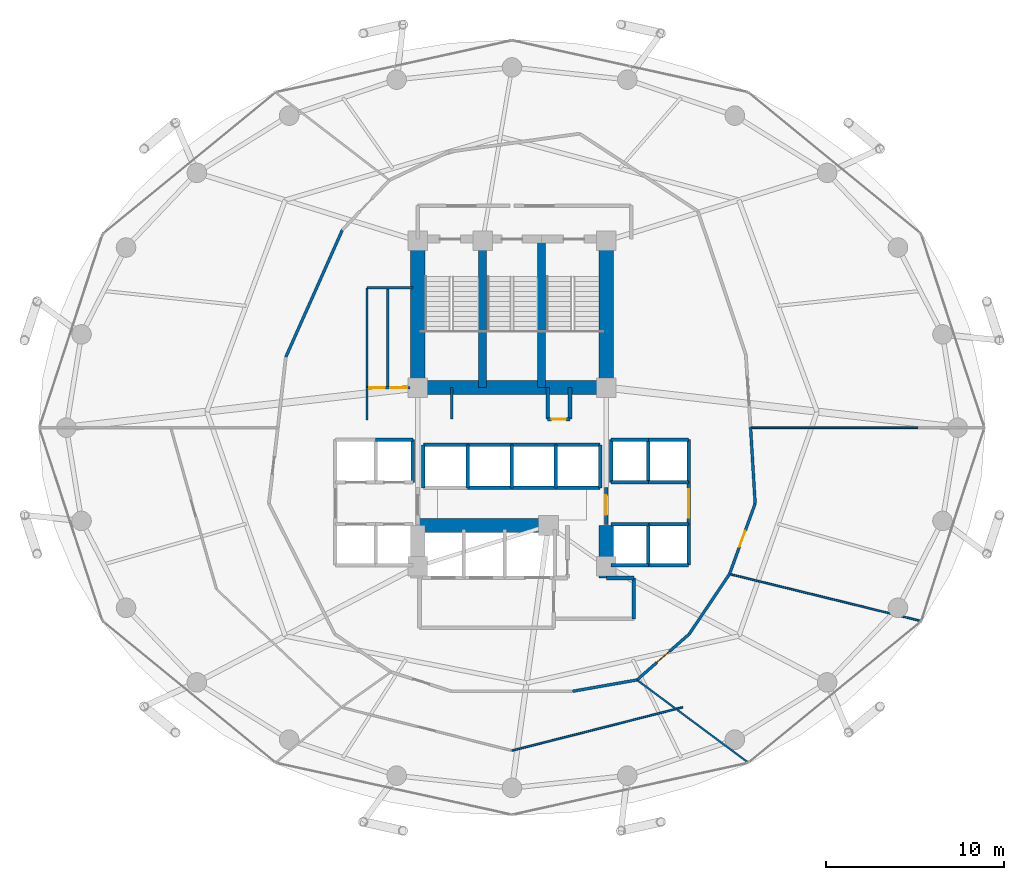
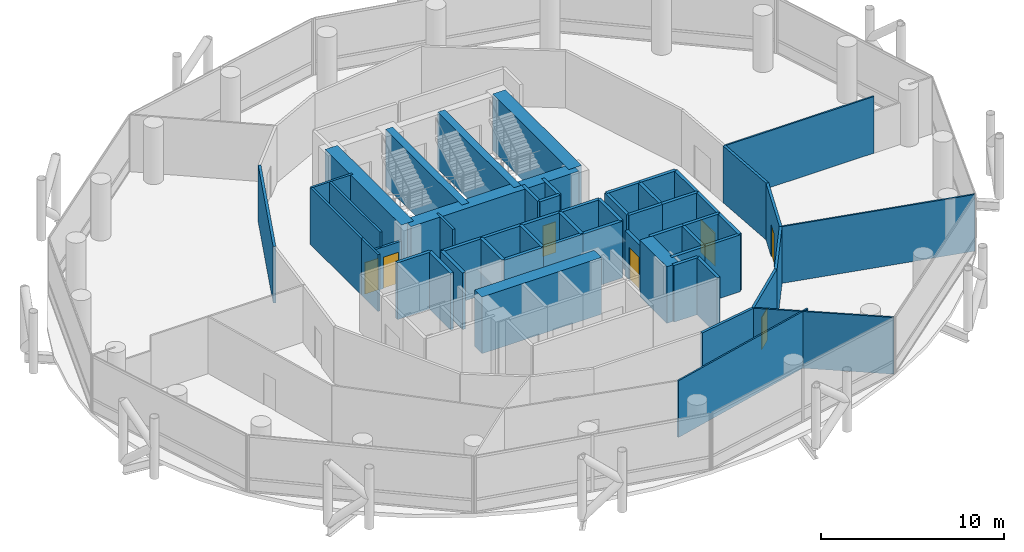
# One storey, part 22 of 24: 57 walls, 7 doors, 7 openings.
"""IFC4 building model written with IfcOpenShell, lengths in metres."""

from ifc_helpers import new_model, si_unit, direction, frame, frame_2d, origin, place, context, subcontext, project, spatial, rectangle, extrude, material, layer, layer_set, type_object, element, fill, save


model = new_model("IFC4")

# Units and contexts
model_context = context("Model", 3, precision=1e-05, world=origin(), true_north=direction((0.0, 1.0)))
body_context = subcontext(model_context, "Body", "Model", "MODEL_VIEW")
ifc_project = project(units=[si_unit("LENGTHUNIT", "METRE"), si_unit("AREAUNIT", "SQUARE_METRE"), si_unit("VOLUMEUNIT", "CUBIC_METRE"), si_unit("PLANEANGLEUNIT", "RADIAN"), si_unit("MASSUNIT", "GRAM", prefix="KILO")], contexts=[model_context])

# Site, building, storey
site_placement = place(None, origin())
site = spatial("IfcSite", under=ifc_project, at=site_placement, CompositionType="ELEMENT")
building_placement = place(site_placement, origin())
building = spatial("IfcBuilding", under=site, at=building_placement, Name="Nuhasar Tower", CompositionType="ELEMENT")
storey_placement = place(building_placement, frame((0.0, 0.0, 33.14990234375)))
storey = spatial("IfcBuildingStorey", under=building, at=storey_placement, Name="L07", CompositionType="ELEMENT", Elevation=33.14990234375)

# Walls
ifc_material_1 = material(Name="Concrete C50/60", Category="concrete")
ifc_layer_1 = layer(ifc_material_1, 0.449951171875)
ifc_layer_set_1 = layer_set([ifc_layer_1], Name="Concrete C50/60")
wall_type_1 = type_object("IfcWallType", Name="WL-CORE-450", PredefinedType="SHEAR", material=ifc_layer_set_1)
for number, where, z_axis, x_axis, name in (
    (1, (37.35009765625, 29.050048828125, 0.0), (0.0, 0.0, 1.0), (0.0, 1.0, 0.0), "L07 Stairwell Shear Wall ST01-E"),
    (2, (40.64990234375, 29.050048828125, 0.0), (0.0, 0.0, 1.0), (0.0, 1.0, 0.0), "L07 Stairwell Shear Wall ST03-E"),
):
    element("IfcWall", number, at=place(storey_placement, frame(where, z_axis=z_axis, x_axis=x_axis)), inside=storey, type_object=wall_type_1, Name=name, PredefinedType="SHEAR", context=body_context, shape_type="SweptSolid", body=[
        extrude(rectangle(XDim=8.349853515625, YDim=0.449951171875, at=frame_2d((4.1748046875, 0.0))), origin(), (0.0, 0.0, 1.0), 3.7900390625),
    ])
ifc_material_2 = material(Name="Concrete C80/95", Category="concrete")
ifc_layer_2 = layer(ifc_material_2, 0.800048828125)
ifc_layer_set_2 = layer_set([ifc_layer_2], Name="Concrete C80/95")
wall_type_2 = type_object("IfcWallType", Name="WL-CORE-800", PredefinedType="SHEAR", material=ifc_layer_set_2)
for number, where, z_axis, x_axis, name in (
    (3, (33.699951171875, 29.050048828125, 0.0), (0.0, 0.0, 1.0), (0.0, 1.0, 0.0), "L07 Core Shear Wall CW-NW CW-800"),
    (4, (44.300048828125, 29.050048828125, 0.0), (0.0, 0.0, 1.0), (0.0, 1.0, 0.0), "L07 Core Shear Wall CW-NE CW-800"),
):
    element("IfcWall", number, at=place(storey_placement, frame(where, z_axis=z_axis, x_axis=x_axis)), inside=storey, type_object=wall_type_2, Name=name, PredefinedType="SHEAR", context=body_context, shape_type="SweptSolid", body=[
        extrude(rectangle(XDim=8.349853515625, YDim=0.800048828125, at=frame_2d((4.1748046875, 0.0))), origin(), (0.0, 0.0, 1.0), 3.7900390625),
    ])
wall_1_placement = place(storey_placement, frame((44.300048828125, 18.35009765625, 0.0), z_axis=(0.0, 0.0, 1.0), x_axis=(0.0, 1.0, 0.0)))
element("IfcWall", 5, at=wall_1_placement, inside=storey, type_object=wall_type_2, Name="L07 Core Shear Wall CW-SE CW-800", PredefinedType="SHEAR", context=body_context, shape_type="SweptSolid", body=[
    extrude(rectangle(XDim=2.949951171875, YDim=0.800048828125, at=frame_2d((1.47509765625, 0.0))), origin(), (0.0, 0.0, 1.0), 3.7900390625),
])
wall_2_placement = place(storey_placement, frame((33.699951171875, 29.050048828125, 0.0), z_axis=(0.0, 0.0, 1.0), x_axis=(1.0, 0.0, 0.0)))
element("IfcWall", 6, at=wall_2_placement, inside=storey, type_object=wall_type_2, Name="L07 Core Shear Wall CW-N1 CW-800", PredefinedType="SHEAR", context=body_context, shape_type="SweptSolid", body=[
    extrude(rectangle(XDim=10.60009765625, YDim=0.800048828125, at=frame_2d((5.300048828125, 0.0))), origin(), (0.0, 0.0, 1.0), 3.7900390625),
])
wall_3_placement = place(storey_placement, frame((33.699951171875, 21.300048828125, 0.0), z_axis=(0.0, 0.0, 1.0), x_axis=(1.0, 0.0, 0.0)))
element("IfcWall", 7, at=wall_3_placement, inside=storey, type_object=wall_type_2, Name="L07 Core Shear Wall CW-S1 CW-800", PredefinedType="SHEAR", context=body_context, shape_type="SweptSolid", body=[
    extrude(rectangle(XDim=7.550048828125, YDim=0.800048828125, at=frame_2d((3.77490234375, 0.0))), origin(), (0.0, 0.0, 1.0), 3.7900390625),
])
ifc_material_3 = material(Name="Gypsum Board", Category="gypsum")
ifc_layer_3 = layer(ifc_material_3, 0.159912109375)
ifc_layer_set_3 = layer_set([ifc_layer_3], Name="Gypsum Board")
wall_type_3 = type_object("IfcWallType", Name="WL-CORR-160", PredefinedType="PARTITIONING", material=ifc_layer_set_3)
wall_4_placement = place(storey_placement, frame((29.466064453125, 37.9130859375, 0.0), z_axis=(0.0, 0.0, 1.0), x_axis=(-0.406489021754, -0.913655665551, 0.0)))
element("IfcWall", 8, at=wall_4_placement, inside=storey, type_object=wall_type_3, Name="L07 Interior Partition CORR-18", PredefinedType="PARTITIONING", context=body_context, shape_type="SweptSolid", body=[
    extrude(rectangle(XDim=7.818115234375, YDim=0.159912109375, at=frame_2d((3.9091796875, 0.0))), origin(), (0.0, 0.0, 1.0), 3.7900390625),
])
wall_5_placement = place(storey_placement, frame((42.406005859375, 11.98291015625, 0.0), z_axis=(0.0, 0.0, 1.0), x_axis=(0.98489842452, 0.173133166602, 0.0)))
element("IfcWall", 9, at=wall_5_placement, inside=storey, type_object=wall_type_3, Name="L07 Interior Partition CORR-38", PredefinedType="PARTITIONING", context=body_context, shape_type="SweptSolid", body=[
    extrude(rectangle(XDim=3.67333984375, YDim=0.159912109375, at=frame_2d((1.836669921875, 0.0))), origin(), (0.0, 0.0, 1.0), 3.7900390625),
])

# Wall, opening, door
wall_6_placement = place(storey_placement, frame((48.95703125, 15.194091796875, 0.0), z_axis=(0.0, 0.0, 1.0), x_axis=(-0.751467454478, -0.659770160632, 0.0)))
wall_6 = element("IfcWall", 10, at=wall_6_placement, inside=storey, type_object=wall_type_3, Name="L07 Interior Partition CORR-40", PredefinedType="PARTITIONING", context=body_context, shape_type="SweptSolid", body=[
    extrude(rectangle(XDim=3.903076171875, YDim=0.159912109375, at=frame_2d((1.95166015625, 0.0))), origin(), (0.0, 0.0, 1.0), 3.7900390625),
])
opening_1_placement = place(wall_6_placement, frame((1.47607421875, 0.0, 0.0)))
opening_1 = element("IfcOpeningElement", 11, at=opening_1_placement, cuts=wall_6, Name="Opening DO-01", PredefinedType="OPENING", context=body_context, shape_type="SweptSolid", body=[
    extrude(rectangle(XDim=0.949951171875, YDim=2.14990234375, at=frame_2d((0.47509765625, 1.074951171875))), frame((0.0, 0.08984375, 0.0), z_axis=(0.0, -1.0, 0.0), x_axis=(1.0, 0.0, 0.0)), (0.0, 0.0, 1.0), 0.179931640625),
])
ifc_material_4 = material(Name="Timber Oak", Category="wood")
door_type_1 = type_object("IfcDoorType", Name="DR-OFFICE-FD30-950", OperationType="NOTDEFINED", PredefinedType="DOOR", material=ifc_material_4)
door_1_placement = place(opening_1_placement, origin())
door_1 = element("IfcDoor", 12, at=door_1_placement, inside=storey, type_object=door_type_1, Name="L07 Executive Dining Pantry Entry Door", OperationType="SINGLE_SWING_LEFT", OverallHeight=2.14990234375, OverallWidth=0.949951171875, PredefinedType="DOOR", context=body_context, shape_type="SweptSolid", body=[
    extrude(rectangle(XDim=0.949951171875, YDim=2.14990234375, at=frame_2d((0.47509765625, 1.074951171875))), frame((0.0, 0.02490234375, 0.0), z_axis=(0.0, -1.0, 0.0), x_axis=(1.0, 0.0, 0.0)), (0.0, 0.0, 1.0), 0.050048828125),
])
fill(opening_1, door_1)

# Wall
wall_7_placement = place(storey_placement, frame((48.95703125, 15.194091796875, 0.0), z_axis=(0.0, 0.0, 1.0), x_axis=(0.557769650613, 0.829995793276, 0.0)))
element("IfcWall", 13, at=wall_7_placement, inside=storey, type_object=wall_type_3, Name="L07 Interior Partition CORR-42", PredefinedType="PARTITIONING", context=body_context, shape_type="SweptSolid", body=[
    extrude(rectangle(XDim=4.06982421875, YDim=0.159912109375, at=frame_2d((2.034912109375, 0.0))), origin(), (0.0, 0.0, 1.0), 3.7900390625),
])

# Wall, opening, door
wall_8_placement = place(storey_placement, frame((52.6669921875, 22.531982421875, 0.0), z_axis=(0.0, 0.0, 1.0), x_axis=(-0.341733758737, -0.939796806836, 0.0)))
wall_8 = element("IfcWall", 14, at=wall_8_placement, inside=storey, type_object=wall_type_3, Name="L07 Interior Partition CORR-44", PredefinedType="PARTITIONING", context=body_context, shape_type="SweptSolid", body=[
    extrude(rectangle(XDim=4.213623046875, YDim=0.159912109375, at=frame_2d((2.10693359375, 0.0))), origin(), (0.0, 0.0, 1.0), 3.7900390625),
])
opening_2_placement = place(wall_8_placement, frame((1.632080078125, 0.0, 0.0)))
opening_2 = element("IfcOpeningElement", 15, at=opening_2_placement, cuts=wall_8, Name="Opening DO-01", PredefinedType="OPENING", context=body_context, shape_type="SweptSolid", body=[
    extrude(rectangle(XDim=0.949951171875, YDim=2.14990234375, at=frame_2d((0.47509765625, 1.074951171875))), frame((0.0, 0.08984375, 0.0), z_axis=(0.0, -1.0, 0.0), x_axis=(1.0, 0.0, 0.0)), (0.0, 0.0, 1.0), 0.179931640625),
])
door_2_placement = place(opening_2_placement, origin())
door_2 = element("IfcDoor", 16, at=door_2_placement, inside=storey, type_object=door_type_1, Name="L07 Records Vault Store Entry Door", OperationType="SINGLE_SWING_LEFT", OverallHeight=2.14990234375, OverallWidth=0.949951171875, PredefinedType="DOOR", context=body_context, shape_type="SweptSolid", body=[
    extrude(rectangle(XDim=0.949951171875, YDim=2.14990234375, at=frame_2d((0.47509765625, 1.074951171875))), frame((0.0, 0.02490234375, 0.0), z_axis=(0.0, -1.0, 0.0), x_axis=(1.0, 0.0, 0.0)), (0.0, 0.0, 1.0), 0.050048828125),
])
fill(opening_2, door_2)

# Wall
wall_9_placement = place(storey_placement, frame((52.6669921875, 22.531982421875, 0.0), z_axis=(0.0, 0.0, 1.0), x_axis=(-0.060124414151, 0.998190890974, 0.0)))
element("IfcWall", 17, at=wall_9_placement, inside=storey, type_object=wall_type_3, Name="L07 Interior Partition CORR-46", PredefinedType="PARTITIONING", context=body_context, shape_type="SweptSolid", body=[
    extrude(rectangle(XDim=4.27587890625, YDim=0.159912109375, at=frame_2d((2.137939453125, 0.0))), origin(), (0.0, 0.0, 1.0), 3.7900390625),
])

# Wall, opening, door
ifc_material_5 = material(Name="Concrete C45/55", Category="concrete")
ifc_layer_4 = layer(ifc_material_5, 0.199951171875)
ifc_layer_set_4 = layer_set([ifc_layer_4], Name="Concrete C45/55")
wall_type_4 = type_object("IfcWallType", Name="WL-LOBBY-200", PredefinedType="SOLIDWALL", material=ifc_layer_set_4)
wall_10_placement = place(storey_placement, frame((48.929931640625, 21.3798828125, 0.0), z_axis=(0.0, 0.0, 1.0), x_axis=(0.0, 1.0, 0.0)))
wall_10 = element("IfcWall", 18, at=wall_10_placement, inside=storey, type_object=wall_type_4, Name="L07 Interior Partition LLBM-E", PredefinedType="SOLIDWALL", context=body_context, shape_type="SweptSolid", body=[
    extrude(rectangle(XDim=2.340087890625, YDim=0.199951171875, at=frame_2d((1.169921875, 0.0))), origin(), (0.0, 0.0, 1.0), 3.7900390625),
])
opening_3_placement = place(wall_10_placement, frame((0.3701171875, 0.0, 0.0)))
opening_3 = element("IfcOpeningElement", 19, at=opening_3_placement, cuts=wall_10, Name="Opening DC-01", PredefinedType="OPENING", context=body_context, shape_type="SweptSolid", body=[
    extrude(rectangle(XDim=1.60009765625, YDim=2.199951171875, at=frame_2d((0.800048828125, 1.10009765625))), frame((0.0, 0.10986328125, 0.0), z_axis=(0.0, -1.0, 0.0), x_axis=(1.0, 0.0, 0.0)), (0.0, 0.0, 1.0), 0.219970703125),
])
ifc_material_6 = material(Name="Steel S355", Category="steel")
door_type_2 = type_object("IfcDoorType", Name="DR-CORR-FD60-1600", OperationType="DOUBLE_DOOR_SINGLE_SWING", PredefinedType="DOOR", material=ifc_material_6)
door_3_placement = place(opening_3_placement, origin())
door_3 = element("IfcDoor", 20, at=door_3_placement, inside=storey, type_object=door_type_2, Name="L07 Mid-Rise Lift Lobby East Entry", OperationType="DOUBLE_DOOR_SINGLE_SWING", OverallHeight=2.199951171875, OverallWidth=1.60009765625, PredefinedType="DOOR", context=body_context, shape_type="SweptSolid", body=[
    extrude(rectangle(XDim=1.60009765625, YDim=2.199951171875, at=frame_2d((0.800048828125, 1.10009765625))), frame((0.0, 0.02490234375, 0.0), z_axis=(0.0, -1.0, 0.0), x_axis=(1.0, 0.0, 0.0)), (0.0, 0.0, 1.0), 0.050048828125),
])
fill(opening_3, door_3)

wall_11_placement = place(storey_placement, frame((44.300048828125, 21.35009765625, 0.0), z_axis=(0.0, 0.0, 1.0), x_axis=(0.0, 1.0, 0.0)))
wall_11 = element("IfcWall", 21, at=wall_11_placement, inside=storey, type_object=wall_type_4, Name="L07 Interior Partition LLBH-E", PredefinedType="SOLIDWALL", context=body_context, shape_type="SweptSolid", body=[
    extrude(rectangle(XDim=2.099853515625, YDim=0.199951171875, at=frame_2d((1.0498046875, 0.0))), origin(), (0.0, 0.0, 1.0), 3.010009765625),
])
opening_4_placement = place(wall_11_placement, frame((0.550048828125, 0.0, 0.0)))
opening_4 = element("IfcOpeningElement", 22, at=opening_4_placement, cuts=wall_11, Name="Opening DS-02", PredefinedType="OPENING", context=body_context, shape_type="SweptSolid", body=[
    extrude(rectangle(XDim=1.10009765625, YDim=2.14990234375, at=frame_2d((0.550048828125, 1.074951171875))), frame((0.0, 0.10986328125, 0.0), z_axis=(0.0, -1.0, 0.0), x_axis=(1.0, 0.0, 0.0)), (0.0, 0.0, 1.0), 0.219970703125),
])
door_type_3 = type_object("IfcDoorType", Name="DR-FFL-FD120-1100", OperationType="NOTDEFINED", PredefinedType="DOOR", material=ifc_material_6)
door_4_placement = place(opening_4_placement, origin())
door_4 = element("IfcDoor", 23, at=door_4_placement, inside=storey, type_object=door_type_3, Name="L07 High-Rise Lobby East Door", OperationType="SINGLE_SWING_RIGHT", OverallHeight=2.14990234375, OverallWidth=1.10009765625, PredefinedType="DOOR", context=body_context, shape_type="SweptSolid", body=[
    extrude(rectangle(XDim=1.10009765625, YDim=2.14990234375, at=frame_2d((0.550048828125, 1.074951171875))), frame((0.0, 0.02490234375, 0.0), z_axis=(0.0, -1.0, 0.0), x_axis=(1.0, 0.0, 0.0)), (0.0, 0.0, 1.0), 0.050048828125),
])
fill(opening_4, door_4)

# Walls
wall_12_placement = place(storey_placement, frame((45.85009765625, 16.050048828125, 0.0), z_axis=(0.0, 0.0, 1.0), x_axis=(0.0, 1.0, 0.0)))
element("IfcWall", 24, at=wall_12_placement, inside=storey, type_object=wall_type_4, Name="L07 Interior Partition SVLV-E", PredefinedType="SOLIDWALL", context=body_context, shape_type="SweptSolid", body=[
    extrude(rectangle(XDim=2.300048828125, YDim=0.199951171875, at=frame_2d((1.14990234375, 0.0))), origin(), (0.0, 0.0, 1.0), 3.7900390625),
])
wall_13_placement = place(storey_placement, frame((44.300048828125, 18.35009765625, 0.0), z_axis=(0.0, 0.0, 1.0), x_axis=(1.0, 0.0, 0.0)))
element("IfcWall", 25, at=wall_13_placement, inside=storey, type_object=wall_type_4, Name="L07 Interior Partition SVLV-N", PredefinedType="SOLIDWALL", context=body_context, shape_type="SweptSolid", body=[
    extrude(rectangle(XDim=1.550048828125, YDim=0.199951171875, at=frame_2d((0.77490234375, 0.0))), origin(), (0.0, 0.0, 1.0), 3.7900390625),
])
ifc_material_7 = material(Name="Aluminium 6063-T6", Category="aluminium")
ifc_layer_5 = layer(ifc_material_7, 0.10009765625)
ifc_layer_set_5 = layer_set([ifc_layer_5], Name="Aluminium 6063-T6")
wall_type_5 = type_object("IfcWallType", Name="WL-MOVABLE-100", PredefinedType="MOVABLE", material=ifc_layer_set_5)
wall_14_placement = place(storey_placement, frame((52.409912109375, 26.800048828125, 0.0), z_axis=(0.0, 0.0, 1.0), x_axis=(1.0, 0.0, 0.0)))
element("IfcWall", 26, at=wall_14_placement, inside=storey, type_object=wall_type_5, Name="L07 Interior Partition ORAD-00", PredefinedType="MOVABLE", context=body_context, shape_type="SweptSolid", body=[
    extrude(rectangle(XDim=9.43017578125, YDim=0.10009765625, at=frame_2d((4.715087890625, 0.0))), origin(), (0.0, 0.0, 1.0), 3.7900390625),
])
wall_15_placement = place(storey_placement, frame((39.0, 8.64794921875, 0.0), z_axis=(0.0, 0.0, 1.0), x_axis=(0.96932580987, 0.245779320368, 0.0)))
element("IfcWall", 27, at=wall_15_placement, inside=storey, type_object=wall_type_5, Name="L07 Interior Partition OMID-04-36", PredefinedType="MOVABLE", context=body_context, shape_type="SweptSolid", body=[
    extrude(rectangle(XDim=9.8955078125, YDim=0.10009765625, at=frame_2d((4.94775390625, 0.0))), origin(), (0.0, 0.0, 1.0), 3.7900390625),
])
wall_16_placement = place(storey_placement, frame((46.02392578125, 12.618896484375, 0.0), z_axis=(0.0, 0.0, 1.0), x_axis=(0.802859849019, -0.596167814322, 0.0)))
element("IfcWall", 28, at=wall_16_placement, inside=storey, type_object=wall_type_5, Name="L07 Interior Partition ORAD-40", PredefinedType="MOVABLE", context=body_context, shape_type="SweptSolid", body=[
    extrude(rectangle(XDim=7.77099609375, YDim=0.10009765625, at=frame_2d((3.885498046875, 0.0))), origin(), (0.0, 0.0, 1.0), 3.7900390625),
])
wall_17_placement = place(storey_placement, frame((51.22705078125, 18.572021484375, 0.0), z_axis=(0.0, 0.0, 1.0), x_axis=(0.971216816961, -0.238197175574, 0.0)))
element("IfcWall", 29, at=wall_17_placement, inside=storey, type_object=wall_type_5, Name="L07 Interior Partition ORAD-44", PredefinedType="MOVABLE", context=body_context, shape_type="SweptSolid", body=[
    extrude(rectangle(XDim=11.062255859375, YDim=0.10009765625, at=frame_2d((5.53125, 0.0))), origin(), (0.0, 0.0, 1.0), 3.7900390625),
])
ifc_layer_6 = layer(ifc_material_5, 0.199951171875)
ifc_layer_set_6 = layer_set([ifc_layer_6], Name="Concrete C45/55")
wall_type_6 = type_object("IfcWallType", Name="WL-SHAFT-200", PredefinedType="SOLIDWALL", material=ifc_layer_set_6)
for number, where, z_axis, x_axis, name in (
    (30, (41.0, 27.280029296875, 0.0), (0.0, 0.0, 1.0), (0.0, 1.0, 0.0), "L07 Interior Partition RSRN-W"),
    (31, (42.260009765625, 27.280029296875, 0.0), (0.0, 0.0, 1.0), (0.0, 1.0, 0.0), "L07 Interior Partition RSRN-E"),
):
    element("IfcWall", number, at=place(storey_placement, frame(where, z_axis=z_axis, x_axis=x_axis)), inside=storey, type_object=wall_type_6, Name=name, PredefinedType="SOLIDWALL", context=body_context, shape_type="SweptSolid", body=[
        extrude(rectangle(XDim=1.77001953125, YDim=0.199951171875, at=frame_2d((0.885009765625, 0.0))), origin(), (0.0, 0.0, 1.0), 3.7900390625),
    ])

# Wall, opening, door
wall_18_placement = place(storey_placement, frame((41.0, 27.280029296875, 0.0), z_axis=(0.0, 0.0, 1.0), x_axis=(1.0, 0.0, 0.0)))
wall_18 = element("IfcWall", 32, at=wall_18_placement, inside=storey, type_object=wall_type_6, Name="L07 Interior Partition RSRN-S", PredefinedType="SOLIDWALL", context=body_context, shape_type="SweptSolid", body=[
    extrude(rectangle(XDim=1.260009765625, YDim=0.199951171875, at=frame_2d((0.6298828125, 0.0))), origin(), (0.0, 0.0, 1.0), 3.7900390625),
])
opening_5_placement = place(wall_18_placement, frame((0.22998046875, 0.0, 0.0)))
opening_5 = element("IfcOpeningElement", 33, at=opening_5_placement, cuts=wall_18, Name="Opening DM-01", PredefinedType="OPENING", context=body_context, shape_type="SweptSolid", body=[
    extrude(rectangle(XDim=0.800048828125, YDim=2.050048828125, at=frame_2d((0.39990234375, 1.02490234375))), frame((0.0, 0.10986328125, 0.0), z_axis=(0.0, -1.0, 0.0), x_axis=(1.0, 0.0, 0.0)), (0.0, 0.0, 1.0), 0.219970703125),
])
door_type_4 = type_object("IfcDoorType", Name="DR-RISER-FD60-800", OperationType="NOTDEFINED", PredefinedType="DOOR", material=ifc_material_6)
door_5_placement = place(opening_5_placement, origin())
door_5 = element("IfcDoor", 34, at=door_5_placement, inside=storey, type_object=door_type_4, Name="L07 North Smoke Riser Door", OperationType="SINGLE_SWING_RIGHT", OverallHeight=2.050048828125, OverallWidth=0.800048828125, PredefinedType="DOOR", context=body_context, shape_type="SweptSolid", body=[
    extrude(rectangle(XDim=0.800048828125, YDim=2.050048828125, at=frame_2d((0.39990234375, 1.02490234375))), frame((0.0, 0.02490234375, 0.0), z_axis=(0.0, -1.0, 0.0), x_axis=(1.0, 0.0, 0.0)), (0.0, 0.0, 1.0), 0.050048828125),
])
fill(opening_5, door_5)

# Walls
wall_19_placement = place(storey_placement, frame((31.320068359375, 26.1298828125, 0.0), z_axis=(0.0, 0.0, 1.0), x_axis=(1.0, 0.0, 0.0)))
element("IfcWall", 35, at=wall_19_placement, inside=storey, type_object=wall_type_6, Name="L07 Interior Partition SHF-PL-L02-N", PredefinedType="SOLIDWALL", context=body_context, shape_type="SweptSolid", body=[
    extrude(rectangle(XDim=2.10986328125, YDim=0.199951171875, at=frame_2d((1.054931640625, 0.0))), origin(), (0.0, 0.0, 1.0), 3.7900390625),
])
wall_20_placement = place(storey_placement, frame((33.429931640625, 23.719970703125, 0.0), z_axis=(0.0, 0.0, 1.0), x_axis=(0.0, 1.0, 0.0)))
element("IfcWall", 36, at=wall_20_placement, inside=storey, type_object=wall_type_6, Name="L07 Interior Partition SHF-PL-L02-E", PredefinedType="SOLIDWALL", context=body_context, shape_type="SweptSolid", body=[
    extrude(rectangle(XDim=2.409912109375, YDim=0.199951171875, at=frame_2d((1.205078125, 0.0))), origin(), (0.0, 0.0, 1.0), 3.7900390625),
])
for number, where, z_axis, x_axis, name in (
    (37, (44.570068359375, 23.719970703125, 0.0), (0.0, 0.0, 1.0), (1.0, 0.0, 0.0), "L07 Interior Partition SHF-PL-M01-S"),
    (38, (44.570068359375, 26.1298828125, 0.0), (0.0, 0.0, 1.0), (1.0, 0.0, 0.0), "L07 Interior Partition SHF-PL-M01-N"),
):
    element("IfcWall", number, at=place(storey_placement, frame(where, z_axis=z_axis, x_axis=x_axis)), inside=storey, type_object=wall_type_6, Name=name, PredefinedType="SOLIDWALL", context=body_context, shape_type="SweptSolid", body=[
        extrude(rectangle(XDim=2.10986328125, YDim=0.199951171875, at=frame_2d((1.054931640625, 0.0))), origin(), (0.0, 0.0, 1.0), 3.7900390625),
    ])
for number, where, z_axis, x_axis, name in (
    (39, (44.570068359375, 23.719970703125, 0.0), (0.0, 0.0, 1.0), (0.0, 1.0, 0.0), "L07 Interior Partition SHF-PL-M01-W"),
    (40, (46.64990234375, 23.719970703125, 0.0), (0.0, 0.0, 1.0), (0.0, 1.0, 0.0), "L07 Interior Partition SHF-PL-M01-E"),
):
    element("IfcWall", number, at=place(storey_placement, frame(where, z_axis=z_axis, x_axis=x_axis)), inside=storey, type_object=wall_type_6, Name=name, PredefinedType="SOLIDWALL", context=body_context, shape_type="SweptSolid", body=[
        extrude(rectangle(XDim=2.409912109375, YDim=0.199951171875, at=frame_2d((1.205078125, 0.0))), origin(), (0.0, 0.0, 1.0), 3.7900390625),
    ])
for number, where, z_axis, x_axis, name in (
    (41, (46.6201171875, 23.719970703125, 0.0), (0.0, 0.0, 1.0), (1.0, 0.0, 0.0), "L07 Interior Partition SHF-PL-M02-S"),
    (42, (46.6201171875, 26.1298828125, 0.0), (0.0, 0.0, 1.0), (1.0, 0.0, 0.0), "L07 Interior Partition SHF-PL-M02-N"),
):
    element("IfcWall", number, at=place(storey_placement, frame(where, z_axis=z_axis, x_axis=x_axis)), inside=storey, type_object=wall_type_6, Name=name, PredefinedType="SOLIDWALL", context=body_context, shape_type="SweptSolid", body=[
        extrude(rectangle(XDim=2.309814453125, YDim=0.199951171875, at=frame_2d((1.15478515625, 0.0))), origin(), (0.0, 0.0, 1.0), 3.7900390625),
    ])
wall_21_placement = place(storey_placement, frame((48.929931640625, 23.719970703125, 0.0), z_axis=(0.0, 0.0, 1.0), x_axis=(0.0, 1.0, 0.0)))
element("IfcWall", 43, at=wall_21_placement, inside=storey, type_object=wall_type_6, Name="L07 Interior Partition SHF-PL-M02-E", PredefinedType="SOLIDWALL", context=body_context, shape_type="SweptSolid", body=[
    extrude(rectangle(XDim=2.409912109375, YDim=0.199951171875, at=frame_2d((1.205078125, 0.0))), origin(), (0.0, 0.0, 1.0), 3.7900390625),
])
for number, where, z_axis, x_axis, name in (
    (44, (44.570068359375, 19.070068359375, 0.0), (0.0, 0.0, 1.0), (1.0, 0.0, 0.0), "L07 Interior Partition SHF-PL-M03-S"),
    (45, (44.570068359375, 21.3798828125, 0.0), (0.0, 0.0, 1.0), (1.0, 0.0, 0.0), "L07 Interior Partition SHF-PL-M03-N"),
):
    element("IfcWall", number, at=place(storey_placement, frame(where, z_axis=z_axis, x_axis=x_axis)), inside=storey, type_object=wall_type_6, Name=name, PredefinedType="SOLIDWALL", context=body_context, shape_type="SweptSolid", body=[
        extrude(rectangle(XDim=2.10986328125, YDim=0.199951171875, at=frame_2d((1.054931640625, 0.0))), origin(), (0.0, 0.0, 1.0), 3.7900390625),
    ])
for number, where, z_axis, x_axis, name in (
    (46, (46.64990234375, 19.070068359375, 0.0), (0.0, 0.0, 1.0), (0.0, 1.0, 0.0), "L07 Interior Partition SHF-PL-M03-E"),
    (47, (46.6201171875, 19.070068359375, 0.0), (0.0, 0.0, 1.0), (1.0, 0.0, 0.0), "L07 Interior Partition SHF-PL-M04-S"),
    (48, (46.6201171875, 21.3798828125, 0.0), (0.0, 0.0, 1.0), (1.0, 0.0, 0.0), "L07 Interior Partition SHF-PL-M04-N"),
    (49, (48.929931640625, 19.070068359375, 0.0), (0.0, 0.0, 1.0), (0.0, 1.0, 0.0), "L07 Interior Partition SHF-PL-M04-E"),
):
    element("IfcWall", number, at=place(storey_placement, frame(where, z_axis=z_axis, x_axis=x_axis)), inside=storey, type_object=wall_type_6, Name=name, PredefinedType="SOLIDWALL", context=body_context, shape_type="SweptSolid", body=[
        extrude(rectangle(XDim=2.309814453125, YDim=0.199951171875, at=frame_2d((1.15478515625, 0.0))), origin(), (0.0, 0.0, 1.0), 3.7900390625),
    ])
wall_22_placement = place(storey_placement, frame((34.02001953125, 25.830078125, 0.0), z_axis=(0.0, 0.0, 1.0), x_axis=(1.0, 0.0, 0.0)))
element("IfcWall", 50, at=wall_22_placement, inside=storey, type_object=wall_type_6, Name="L07 Interior Partition SHF-PL-H01-N", PredefinedType="SOLIDWALL", context=body_context, shape_type="SweptSolid", body=[
    extrude(rectangle(XDim=2.5, YDim=0.199951171875, at=frame_2d((1.25, 0.0))), origin(), (0.0, 0.0, 1.0), 3.7900390625),
])
for number, where, z_axis, x_axis, name in (
    (51, (34.02001953125, 23.419921875, 0.0), (0.0, 0.0, 1.0), (0.0, 1.0, 0.0), "L07 Interior Partition SHF-PL-H01-W"),
    (52, (36.510009765625, 23.419921875, 0.0), (0.0, 0.0, 1.0), (0.0, 1.0, 0.0), "L07 Interior Partition SHF-PL-H01-E"),
):
    element("IfcWall", number, at=place(storey_placement, frame(where, z_axis=z_axis, x_axis=x_axis)), inside=storey, type_object=wall_type_6, Name=name, PredefinedType="SOLIDWALL", context=body_context, shape_type="SweptSolid", body=[
        extrude(rectangle(XDim=2.41015625, YDim=0.199951171875, at=frame_2d((1.205078125, 0.0))), origin(), (0.0, 0.0, 1.0), 3.7900390625),
    ])
for number, where, z_axis, x_axis, name in (
    (53, (36.5, 23.419921875, 0.0), (0.0, 0.0, 1.0), (1.0, 0.0, 0.0), "L07 Interior Partition SHF-PL-H02-S"),
    (54, (36.5, 25.830078125, 0.0), (0.0, 0.0, 1.0), (1.0, 0.0, 0.0), "L07 Interior Partition SHF-PL-H02-N"),
):
    element("IfcWall", number, at=place(storey_placement, frame(where, z_axis=z_axis, x_axis=x_axis)), inside=storey, type_object=wall_type_6, Name=name, PredefinedType="SOLIDWALL", context=body_context, shape_type="SweptSolid", body=[
        extrude(rectangle(XDim=2.5, YDim=0.199951171875, at=frame_2d((1.25, 0.0))), origin(), (0.0, 0.0, 1.0), 3.7900390625),
    ])
wall_23_placement = place(storey_placement, frame((38.989990234375, 23.419921875, 0.0), z_axis=(0.0, 0.0, 1.0), x_axis=(0.0, 1.0, 0.0)))
element("IfcWall", 55, at=wall_23_placement, inside=storey, type_object=wall_type_6, Name="L07 Interior Partition SHF-PL-H02-E", PredefinedType="SOLIDWALL", context=body_context, shape_type="SweptSolid", body=[
    extrude(rectangle(XDim=2.41015625, YDim=0.199951171875, at=frame_2d((1.205078125, 0.0))), origin(), (0.0, 0.0, 1.0), 3.7900390625),
])
for number, where, z_axis, x_axis, name in (
    (56, (38.97998046875, 23.419921875, 0.0), (0.0, 0.0, 1.0), (1.0, 0.0, 0.0), "L07 Interior Partition SHF-PL-H03-S"),
    (57, (38.97998046875, 25.830078125, 0.0), (0.0, 0.0, 1.0), (1.0, 0.0, 0.0), "L07 Interior Partition SHF-PL-H03-N"),
):
    element("IfcWall", number, at=place(storey_placement, frame(where, z_axis=z_axis, x_axis=x_axis)), inside=storey, type_object=wall_type_6, Name=name, PredefinedType="SOLIDWALL", context=body_context, shape_type="SweptSolid", body=[
        extrude(rectangle(XDim=2.5, YDim=0.199951171875, at=frame_2d((1.25, 0.0))), origin(), (0.0, 0.0, 1.0), 3.7900390625),
    ])
wall_24_placement = place(storey_placement, frame((41.469970703125, 23.419921875, 0.0), z_axis=(0.0, 0.0, 1.0), x_axis=(0.0, 1.0, 0.0)))
element("IfcWall", 58, at=wall_24_placement, inside=storey, type_object=wall_type_6, Name="L07 Interior Partition SHF-PL-H03-E", PredefinedType="SOLIDWALL", context=body_context, shape_type="SweptSolid", body=[
    extrude(rectangle(XDim=2.41015625, YDim=0.199951171875, at=frame_2d((1.205078125, 0.0))), origin(), (0.0, 0.0, 1.0), 3.7900390625),
])
for number, where, z_axis, x_axis, name in (
    (59, (41.4599609375, 23.419921875, 0.0), (0.0, 0.0, 1.0), (1.0, 0.0, 0.0), "L07 Interior Partition SHF-PL-H04-S"),
    (60, (41.4599609375, 25.830078125, 0.0), (0.0, 0.0, 1.0), (1.0, 0.0, 0.0), "L07 Interior Partition SHF-PL-H04-N"),
):
    element("IfcWall", number, at=place(storey_placement, frame(where, z_axis=z_axis, x_axis=x_axis)), inside=storey, type_object=wall_type_6, Name=name, PredefinedType="SOLIDWALL", context=body_context, shape_type="SweptSolid", body=[
        extrude(rectangle(XDim=2.5, YDim=0.199951171875, at=frame_2d((1.25, 0.0))), origin(), (0.0, 0.0, 1.0), 3.7900390625),
    ])
wall_25_placement = place(storey_placement, frame((43.9599609375, 23.419921875, 0.0), z_axis=(0.0, 0.0, 1.0), x_axis=(0.0, 1.0, 0.0)))
element("IfcWall", 61, at=wall_25_placement, inside=storey, type_object=wall_type_6, Name="L07 Interior Partition SHF-PL-H04-E", PredefinedType="SOLIDWALL", context=body_context, shape_type="SweptSolid", body=[
    extrude(rectangle(XDim=2.41015625, YDim=0.199951171875, at=frame_2d((1.205078125, 0.0))), origin(), (0.0, 0.0, 1.0), 3.7900390625),
])
ifc_material_8 = material(Name="Concrete C40/50 precast", Category="concrete")
ifc_layer_7 = layer(ifc_material_8, 0.139892578125)
ifc_layer_set_7 = layer_set([ifc_layer_7], Name="Concrete C40/50 precast")
wall_type_7 = type_object("IfcWallType", Name="WL-WET-140", PredefinedType="PARTITIONING", material=ifc_layer_set_7)
wall_26_placement = place(storey_placement, frame((35.60009765625, 27.280029296875, 0.0), z_axis=(0.0, 0.0, 1.0), x_axis=(0.0, 1.0, 0.0)))
element("IfcWall", 62, at=wall_26_placement, inside=storey, type_object=wall_type_7, Name="L07 Interior Partition CSVC-W", PredefinedType="PARTITIONING", context=body_context, shape_type="SweptSolid", body=[
    extrude(rectangle(XDim=1.77001953125, YDim=0.139892578125, at=frame_2d((0.885009765625, 0.0))), origin(), (0.0, 0.0, 1.0), 3.7900390625),
])
wall_27_placement = place(storey_placement, frame((30.85009765625, 27.239990234375, 0.0), z_axis=(0.0, 0.0, 1.0), x_axis=(0.0, 1.0, 0.0)))
element("IfcWall", 63, at=wall_27_placement, inside=storey, type_object=wall_type_7, Name="L07 Interior Partition K2-FOY-W", PredefinedType="PARTITIONING", context=body_context, shape_type="SweptSolid", body=[
    extrude(rectangle(XDim=1.81005859375, YDim=0.139892578125, at=frame_2d((0.905029296875, 0.0))), origin(), (0.0, 0.0, 1.0), 3.7900390625),
])

# Wall, openings, doors
wall_28_placement = place(storey_placement, frame((30.85009765625, 29.050048828125, 0.0), z_axis=(0.0, 0.0, 1.0), x_axis=(1.0, 0.0, 0.0)))
wall_28 = element("IfcWall", 64, at=wall_28_placement, inside=storey, type_object=wall_type_7, Name="L07 Interior Partition K2-NW-S", PredefinedType="PARTITIONING", context=body_context, shape_type="SweptSolid", body=[
    extrude(rectangle(XDim=2.429931640625, YDim=0.139892578125, at=frame_2d((1.21484375, 0.0))), origin(), (0.0, 0.0, 1.0), 2.780029296875),
])
opening_6_placement = place(wall_28_placement, frame((0.139892578125, 0.0, 0.0)))
opening_6 = element("IfcOpeningElement", 65, at=opening_6_placement, cuts=wall_28, Name="Opening DB-01", PredefinedType="OPENING", context=body_context, shape_type="SweptSolid", body=[
    extrude(rectangle(XDim=0.85009765625, YDim=2.10009765625, at=frame_2d((0.425048828125, 1.050048828125))), frame((0.0, 0.080078125, 0.0), z_axis=(0.0, -1.0, 0.0), x_axis=(1.0, 0.0, 0.0)), (0.0, 0.0, 1.0), 0.159912109375),
])
opening_7_placement = place(wall_28_placement, frame((1.300048828125, 0.0, 0.0)))
opening_7 = element("IfcOpeningElement", 66, at=opening_7_placement, cuts=wall_28, Name="Opening DA-01", PredefinedType="OPENING", context=body_context, shape_type="SweptSolid", body=[
    extrude(rectangle(XDim=0.949951171875, YDim=2.10009765625, at=frame_2d((0.47509765625, 1.050048828125))), frame((0.0, 0.080078125, 0.0), z_axis=(0.0, -1.0, 0.0), x_axis=(1.0, 0.0, 0.0)), (0.0, 0.0, 1.0), 0.159912109375),
])
door_type_5 = type_object("IfcDoorType", Name="DR-ACCWC-950", OperationType="NOTDEFINED", PredefinedType="DOOR", material=ifc_material_4)
door_6_placement = place(opening_7_placement, origin())
door_6 = element("IfcDoor", 67, at=door_6_placement, inside=storey, type_object=door_type_5, Name="L07 NW Accessible WC Door", OperationType="SINGLE_SWING_RIGHT", OverallHeight=2.10009765625, OverallWidth=0.949951171875, PredefinedType="DOOR", context=body_context, shape_type="SweptSolid", body=[
    extrude(rectangle(XDim=0.949951171875, YDim=2.10009765625, at=frame_2d((0.47509765625, 1.050048828125))), frame((0.0, 0.02490234375, 0.0), z_axis=(0.0, -1.0, 0.0), x_axis=(1.0, 0.0, 0.0)), (0.0, 0.0, 1.0), 0.050048828125),
])
fill(opening_7, door_6)
door_type_6 = type_object("IfcDoorType", Name="DR-BATH-850", OperationType="NOTDEFINED", PredefinedType="DOOR", material=ifc_material_4)
door_7_placement = place(opening_6_placement, origin())
door_7 = element("IfcDoor", 68, at=door_7_placement, inside=storey, type_object=door_type_6, Name="L07 NW Female WC Door", OperationType="SINGLE_SWING_LEFT", OverallHeight=2.10009765625, OverallWidth=0.85009765625, PredefinedType="DOOR", context=body_context, shape_type="SweptSolid", body=[
    extrude(rectangle(XDim=0.85009765625, YDim=2.10009765625, at=frame_2d((0.425048828125, 1.050048828125))), frame((0.0, 0.02490234375, 0.0), z_axis=(0.0, -1.0, 0.0), x_axis=(1.0, 0.0, 0.0)), (0.0, 0.0, 1.0), 0.050048828125),
])
fill(opening_6, door_7)

# Walls
wall_29_placement = place(storey_placement, frame((32.02001953125, 29.050048828125, 0.0), z_axis=(0.0, 0.0, 1.0), x_axis=(0.0, 1.0, 0.0)))
element("IfcWall", 69, at=wall_29_placement, inside=storey, type_object=wall_type_7, Name="L07 Interior Partition K2-NW-V", PredefinedType="PARTITIONING", context=body_context, shape_type="SweptSolid", body=[
    extrude(rectangle(XDim=5.599853515625, YDim=0.139892578125, at=frame_2d((2.7998046875, 0.0))), origin(), (0.0, 0.0, 1.0), 3.7900390625),
])
wall_30_placement = place(storey_placement, frame((30.85009765625, 34.64990234375, 0.0), z_axis=(0.0, 0.0, 1.0), x_axis=(1.0, 0.0, 0.0)))
element("IfcWall", 70, at=wall_30_placement, inside=storey, type_object=wall_type_7, Name="L07 Interior Partition K2-NW-N", PredefinedType="PARTITIONING", context=body_context, shape_type="SweptSolid", body=[
    extrude(rectangle(XDim=2.599853515625, YDim=0.139892578125, at=frame_2d((1.2998046875, 0.0))), origin(), (0.0, 0.0, 1.0), 3.7900390625),
])
wall_31_placement = place(storey_placement, frame((30.85009765625, 29.050048828125, 0.0), z_axis=(0.0, 0.0, 1.0), x_axis=(0.0, 1.0, 0.0)))
element("IfcWall", 71, at=wall_31_placement, inside=storey, type_object=wall_type_7, Name="L07 Interior Partition K2-NW-W", PredefinedType="PARTITIONING", context=body_context, shape_type="SweptSolid", body=[
    extrude(rectangle(XDim=5.599853515625, YDim=0.139892578125, at=frame_2d((2.7998046875, 0.0))), origin(), (0.0, 0.0, 1.0), 3.7900390625),
])

save(model, "model.ifc")
